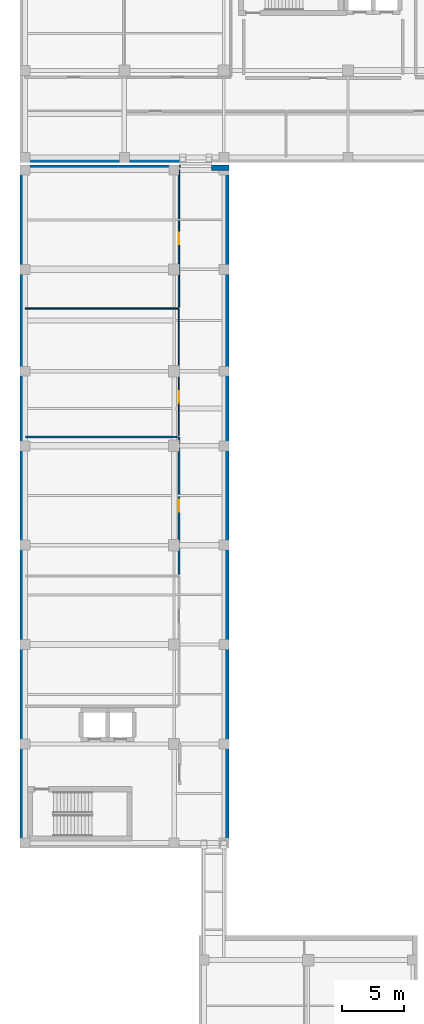
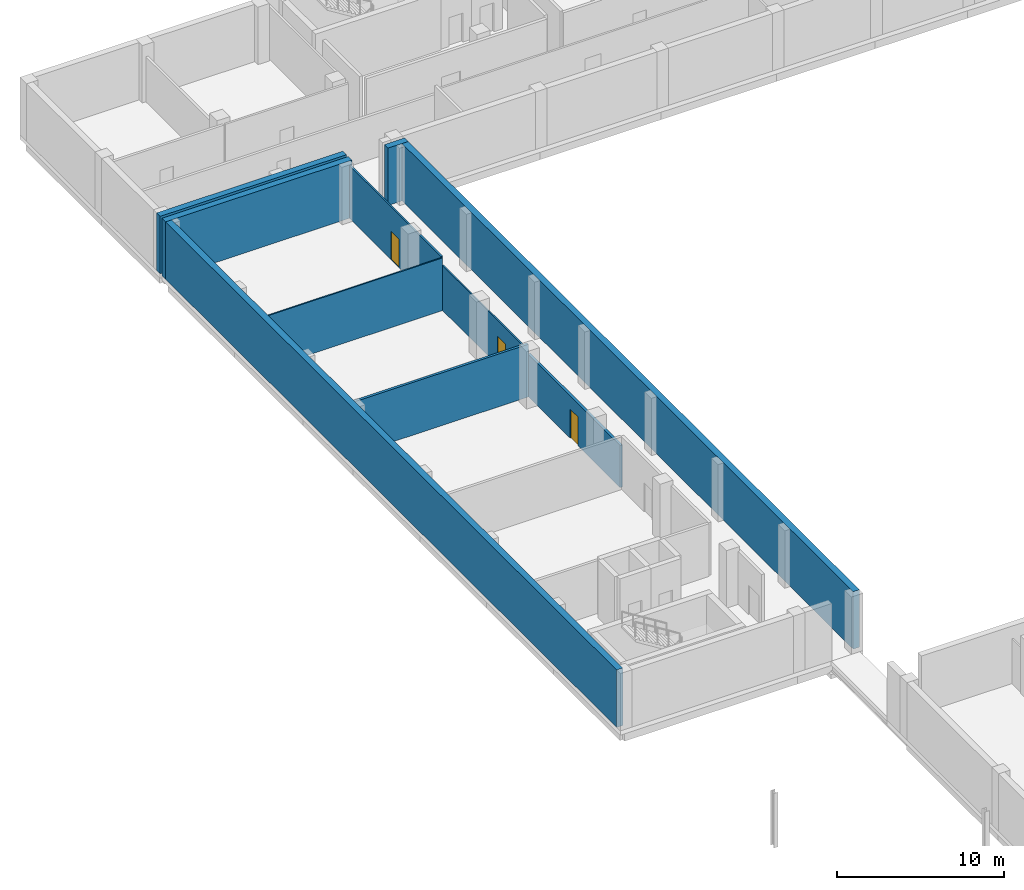
# One storey, part 20 of 31: 10 walls, 3 doors, 3 openings.
"""IFC4 building model written with IfcOpenShell, lengths in metres."""

from ifc_helpers import new_model, si_unit, direction, frame, frame_2d, origin, place, context, subcontext, project, spatial, rectangle, extrude, material, layer, layer_set, type_object, element, fill, save


model = new_model("IFC4")

# Units and contexts
model_context = context("Model", 3, precision=1e-05, world=origin(), true_north=direction((0.0, 1.0)))
body_context = subcontext(model_context, "Body", "Model", "MODEL_VIEW")
ifc_project = project(units=[si_unit("LENGTHUNIT", "METRE"), si_unit("AREAUNIT", "SQUARE_METRE"), si_unit("VOLUMEUNIT", "CUBIC_METRE"), si_unit("PLANEANGLEUNIT", "RADIAN"), si_unit("MASSUNIT", "GRAM", prefix="KILO")], contexts=[model_context])

# Site, building, storey
site_placement = place(None, origin())
site = spatial("IfcSite", under=ifc_project, at=site_placement, CompositionType="ELEMENT")
building_placement = place(site_placement, origin())
building = spatial("IfcBuilding", under=site, at=building_placement, Name="Qalavern Law Courts", CompositionType="ELEMENT")
storey_placement = place(building_placement, frame((0.0, 0.0, -4.199951171875)))
storey = spatial("IfcBuildingStorey", under=building, at=storey_placement, Name="B1", CompositionType="ELEMENT", Elevation=-4.199951171875)

# Walls
ifc_material_1 = material(Name="Concrete C35/45", Category="concrete")
ifc_layer_1 = layer(ifc_material_1, 0.429931640625)
ifc_layer_set_1 = layer_set([ifc_layer_1], Name="Concrete C35/45")
wall_type_1 = type_object("IfcWallType", Name="ENV-EW-RET430", PredefinedType="SOLIDWALL", material=ifc_layer_set_1)
wall_1_placement = place(storey_placement, frame((18.5849609375, 41.445068359375, 0.0), z_axis=(0.0, 0.0, 1.0), x_axis=(0.0, 1.0, 0.0)))
element("IfcWall", 1, at=wall_1_placement, inside=storey, type_object=wall_type_1, Name="V3 basement retaining wall B1 east", PredefinedType="SOLIDWALL", context=body_context, shape_type="SweptSolid", body=[
    extrude(rectangle(XDim=54.10986328125, YDim=0.429931640625, at=frame_2d((27.054931640625, 0.0))), origin(), (0.0, 0.0, 1.0), 4.199951171875),
])
wall_2_placement = place(storey_placement, frame((18.800048828125, 95.764892578125, 0.0), z_axis=(0.0, 0.0, 1.0), x_axis=(-1.0, 0.0, 0.0)))
element("IfcWall", 2, at=wall_2_placement, inside=storey, type_object=wall_type_1, Name="V3 basement retaining wall B1 north", PredefinedType="SOLIDWALL", context=body_context, shape_type="SweptSolid", body=[
    extrude(rectangle(XDim=1.400146484375, YDim=0.429931640625, at=frame_2d((0.7001953125, 0.0))), origin(), (0.0, 0.0, 1.0), 4.199951171875),
])
wall_3_placement = place(storey_placement, frame((14.89990234375, 95.764892578125, 0.0), z_axis=(0.0, 0.0, 1.0), x_axis=(-1.0, 0.0, 0.0)))
element("IfcWall", 3, at=wall_3_placement, inside=storey, type_object=wall_type_1, Name="V3 basement retaining wall B1 north", PredefinedType="SOLIDWALL", context=body_context, shape_type="SweptSolid", body=[
    extrude(rectangle(XDim=12.89990234375, YDim=0.429931640625, at=frame_2d((6.449951171875, 0.0))), origin(), (0.0, 0.0, 1.0), 4.199951171875),
])
wall_4_placement = place(storey_placement, frame((2.215087890625, 95.554931640625, 0.0), z_axis=(0.0, 0.0, 1.0), x_axis=(0.0, -1.0, 0.0)))
element("IfcWall", 4, at=wall_4_placement, inside=storey, type_object=wall_type_1, Name="V3 basement retaining wall B1 west", PredefinedType="SOLIDWALL", context=body_context, shape_type="SweptSolid", body=[
    extrude(rectangle(XDim=54.10986328125, YDim=0.429931640625, at=frame_2d((27.054931640625, 0.0))), origin(), (0.0, 0.0, 1.0), 4.199951171875),
])
wall_5_placement = place(storey_placement, frame((2.0, 96.4150390625, 0.0), z_axis=(0.0, 0.0, 1.0), x_axis=(1.0, 0.0, 0.0)))
element("IfcWall", 5, at=wall_5_placement, inside=storey, type_object=wall_type_1, Name="V5 basement retaining wall B1 south", PredefinedType="SOLIDWALL", context=body_context, shape_type="SweptSolid", body=[
    extrude(rectangle(XDim=12.89990234375, YDim=0.429931640625, at=frame_2d((6.449951171875, 0.0))), origin(), (0.0, 0.0, 1.0), 4.199951171875),
])

# Wall, opening, door
ifc_material_2 = material(Name="Gypsum shaft/chase partition")
ifc_layer_2 = layer(ifc_material_2, 0.092041015625)
ifc_layer_set_2 = layer_set([ifc_layer_2], Name="Gypsum shaft/chase partition")
wall_type_2 = type_object("IfcWallType", Name="INT-PW-092", PredefinedType="PARTITIONING", material=ifc_layer_set_2)
wall_6_placement = place(storey_placement, frame((14.7900390625, 74.218017578125, 0.0), z_axis=(0.0, 0.0, 1.0), x_axis=(0.0, 1.0, 0.0)))
wall_6 = element("IfcWall", 6, at=wall_6_placement, inside=storey, type_object=wall_type_2, Name="Detainee Medical and Interview Room corridor partition B1", PredefinedType="PARTITIONING", context=body_context, shape_type="SweptSolid", body=[
    extrude(rectangle(XDim=10.22705078125, YDim=0.092041015625, at=frame_2d((5.113525390625, 0.0))), origin(), (0.0, 0.0, 1.0), 3.2900390625),
])
opening_1_placement = place(wall_6_placement, frame((2.638427734375, 0.0, 0.0)))
opening_1 = element("IfcOpeningElement", 7, at=opening_1_placement, cuts=wall_6, Name="Opening B1-D200", PredefinedType="OPENING", context=body_context, shape_type="SweptSolid", body=[
    extrude(rectangle(XDim=0.949951171875, YDim=2.1201171875, at=frame_2d((0.47509765625, 1.06005859375))), frame((0.0, 0.06103515625, 0.0), z_axis=(0.0, -1.0, 0.0), x_axis=(1.0, 0.0, 0.0)), (0.0, 0.0, 1.0), 0.121826171875),
])
ifc_material_3 = material(Name="Heavy steel Custody Holding Cell door", Category="steel")
door_type_1 = type_object("IfcDoorType", Name="INT-ID-950x2120", OperationType="NOTDEFINED", PredefinedType="DOOR", material=ifc_material_3)
door_1_placement = place(opening_1_placement, frame((0.949951171875, 0.0, 0.0), z_axis=(0.0, 0.0, 1.0), x_axis=(-1.0, 0.0, 0.0)))
door_1 = element("IfcDoor", 8, at=door_1_placement, inside=storey, type_object=door_type_1, Name="Detainee Medical and Interview Room door B1", OperationType="SINGLE_SWING_RIGHT", OverallHeight=2.1201171875, OverallWidth=0.949951171875, PredefinedType="DOOR", context=body_context, shape_type="SweptSolid", body=[
    extrude(rectangle(XDim=0.949951171875, YDim=2.1201171875, at=frame_2d((0.47509765625, 1.06005859375))), frame((0.0, 0.02490234375, 0.0), z_axis=(0.0, -1.0, 0.0), x_axis=(1.0, 0.0, 0.0)), (0.0, 0.0, 1.0), 0.050048828125),
])
fill(opening_1, door_1)

# Wall
wall_7_placement = place(storey_placement, frame((2.43994140625, 84.445068359375, 0.0), z_axis=(0.0, 0.0, 1.0), x_axis=(1.0, 0.0, 0.0)))
element("IfcWall", 9, at=wall_7_placement, inside=storey, type_object=wall_type_2, Name="Detainee Medical and Interview Room cross partition B1 north", PredefinedType="PARTITIONING", context=body_context, shape_type="SweptSolid", body=[
    extrude(rectangle(XDim=12.2841796875, YDim=0.092041015625, at=frame_2d((6.14208984375, 0.0))), origin(), (0.0, 0.0, 1.0), 3.85986328125),
])

# Wall, opening, door
ifc_material_4 = material(Name="Gypsum stud partition")
ifc_layer_3 = layer(ifc_material_4, 0.112060546875)
ifc_layer_set_3 = layer_set([ifc_layer_3], Name="Gypsum stud partition")
wall_type_3 = type_object("IfcWallType", Name="INT-PW-112", PredefinedType="PARTITIONING", material=ifc_layer_set_3)
wall_8_placement = place(storey_placement, frame((14.7900390625, 84.56494140625, 0.0), z_axis=(0.0, 0.0, 1.0), x_axis=(0.0, 1.0, 0.0)))
wall_8 = element("IfcWall", 10, at=wall_8_placement, inside=storey, type_object=wall_type_3, Name="Accessible WC corridor partition B1", PredefinedType="PARTITIONING", context=body_context, shape_type="SweptSolid", body=[
    extrude(rectangle(XDim=11.03515625, YDim=0.112060546875, at=frame_2d((5.517578125, 0.0))), origin(), (0.0, 0.0, 1.0), 3.85986328125),
])
opening_2_placement = place(wall_8_placement, frame((5.047607421875, 0.0, 0.0)))
opening_2 = element("IfcOpeningElement", 11, at=opening_2_placement, cuts=wall_8, Name="Opening B1-D201", PredefinedType="OPENING", context=body_context, shape_type="SweptSolid", body=[
    extrude(rectangle(XDim=0.93994140625, YDim=2.070068359375, at=frame_2d((0.469970703125, 1.03515625))), frame((0.0, 0.07080078125, 0.0), z_axis=(0.0, -1.0, 0.0), x_axis=(1.0, 0.0, 0.0)), (0.0, 0.0, 1.0), 0.141845703125),
])
ifc_material_5 = material(Name="Accessible WC outward-clear door")
door_type_2 = type_object("IfcDoorType", Name="INT-ID-940x2070", OperationType="NOTDEFINED", PredefinedType="DOOR", material=ifc_material_5)
door_2_placement = place(opening_2_placement, frame((0.93994140625, 0.0, 0.0), z_axis=(0.0, 0.0, 1.0), x_axis=(-1.0, 0.0, 0.0)))
door_2 = element("IfcDoor", 12, at=door_2_placement, inside=storey, type_object=door_type_2, Name="Accessible WC door B1", OperationType="SINGLE_SWING_LEFT", OverallHeight=2.070068359375, OverallWidth=0.93994140625, PredefinedType="DOOR", context=body_context, shape_type="SweptSolid", body=[
    extrude(rectangle(XDim=0.93994140625, YDim=2.070068359375, at=frame_2d((0.469970703125, 1.03515625))), frame((0.0, 0.02490234375, 0.0), z_axis=(0.0, -1.0, 0.0), x_axis=(1.0, 0.0, 0.0)), (0.0, 0.0, 1.0), 0.050048828125),
])
fill(opening_2, door_2)

ifc_material_6 = material(Name="Gypsum acoustic stud partition")
ifc_layer_4 = layer(ifc_material_6, 0.174072265625)
ifc_layer_set_4 = layer_set([ifc_layer_4], Name="Gypsum acoustic stud partition")
wall_type_4 = type_object("IfcWallType", Name="INT-PW-174", PredefinedType="PARTITIONING", material=ifc_layer_set_4)
wall_9_placement = place(storey_placement, frame((14.7900390625, 63.044921875, 0.0), z_axis=(0.0, 0.0, 1.0), x_axis=(0.0, 1.0, 0.0)))
wall_9 = element("IfcWall", 13, at=wall_9_placement, inside=storey, type_object=wall_type_4, Name="Custody Holding Cell corridor partition B1", PredefinedType="PARTITIONING", context=body_context, shape_type="SweptSolid", body=[
    extrude(rectangle(XDim=11.052978515625, YDim=0.174072265625, at=frame_2d((5.5263671875, 0.0))), origin(), (0.0, 0.0, 1.0), 3.08984375),
])
opening_3_placement = place(wall_9_placement, frame((5.051513671875, 0.0, 0.0)))
opening_3 = element("IfcOpeningElement", 14, at=opening_3_placement, cuts=wall_9, Name="Opening B1-D199", PredefinedType="OPENING", context=body_context, shape_type="SweptSolid", body=[
    extrude(rectangle(XDim=0.949951171875, YDim=2.1201171875, at=frame_2d((0.47509765625, 1.06005859375))), frame((0.0, 0.10205078125, 0.0), z_axis=(0.0, -1.0, 0.0), x_axis=(1.0, 0.0, 0.0)), (0.0, 0.0, 1.0), 0.203857421875),
])
door_3_placement = place(opening_3_placement, frame((0.949951171875, 0.0, 0.0), z_axis=(0.0, 0.0, 1.0), x_axis=(-1.0, 0.0, 0.0)))
door_3 = element("IfcDoor", 15, at=door_3_placement, inside=storey, type_object=door_type_1, Name="Custody Holding Cell door B1", OperationType="SINGLE_SWING_LEFT", OverallHeight=2.1201171875, OverallWidth=0.949951171875, PredefinedType="DOOR", context=body_context, shape_type="SweptSolid", body=[
    extrude(rectangle(XDim=0.949951171875, YDim=2.1201171875, at=frame_2d((0.47509765625, 1.06005859375))), frame((0.0, 0.02490234375, 0.0), z_axis=(0.0, -1.0, 0.0), x_axis=(1.0, 0.0, 0.0)), (0.0, 0.0, 1.0), 0.050048828125),
])
fill(opening_3, door_3)

# Wall
wall_10_placement = place(storey_placement, frame((2.43994140625, 74.097900390625, 0.0), z_axis=(0.0, 0.0, 1.0), x_axis=(1.0, 0.0, 0.0)))
element("IfcWall", 16, at=wall_10_placement, inside=storey, type_object=wall_type_4, Name="Custody Holding Cell cross partition B1 north", PredefinedType="PARTITIONING", context=body_context, shape_type="SweptSolid", body=[
    extrude(rectangle(XDim=12.2431640625, YDim=0.174072265625, at=frame_2d((6.12158203125, 0.0))), origin(), (0.0, 0.0, 1.0), 3.85986328125),
])

save(model, "model.ifc")
